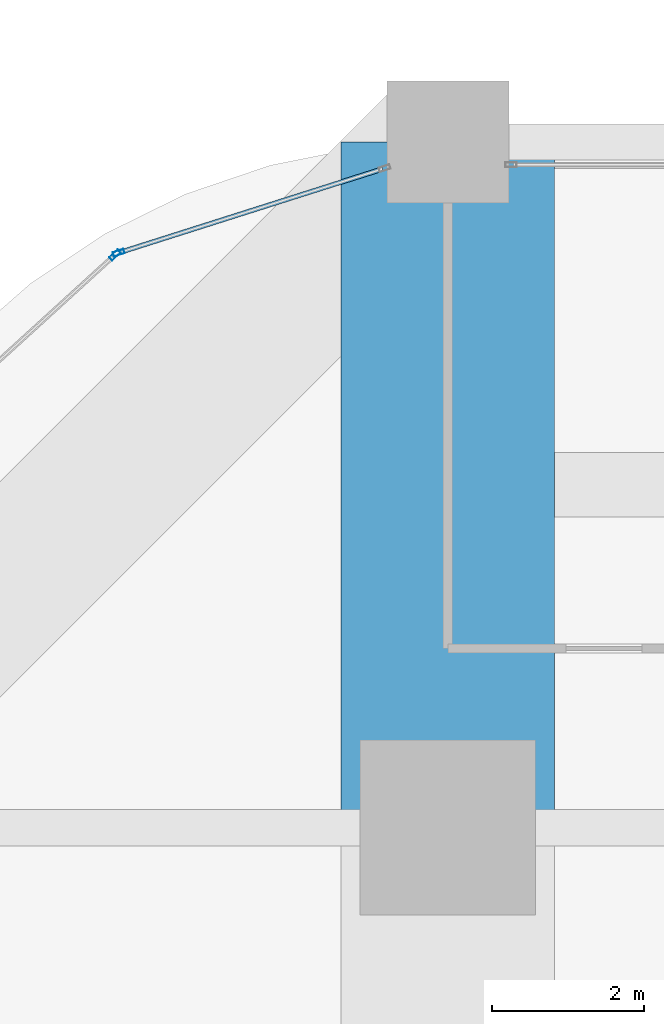
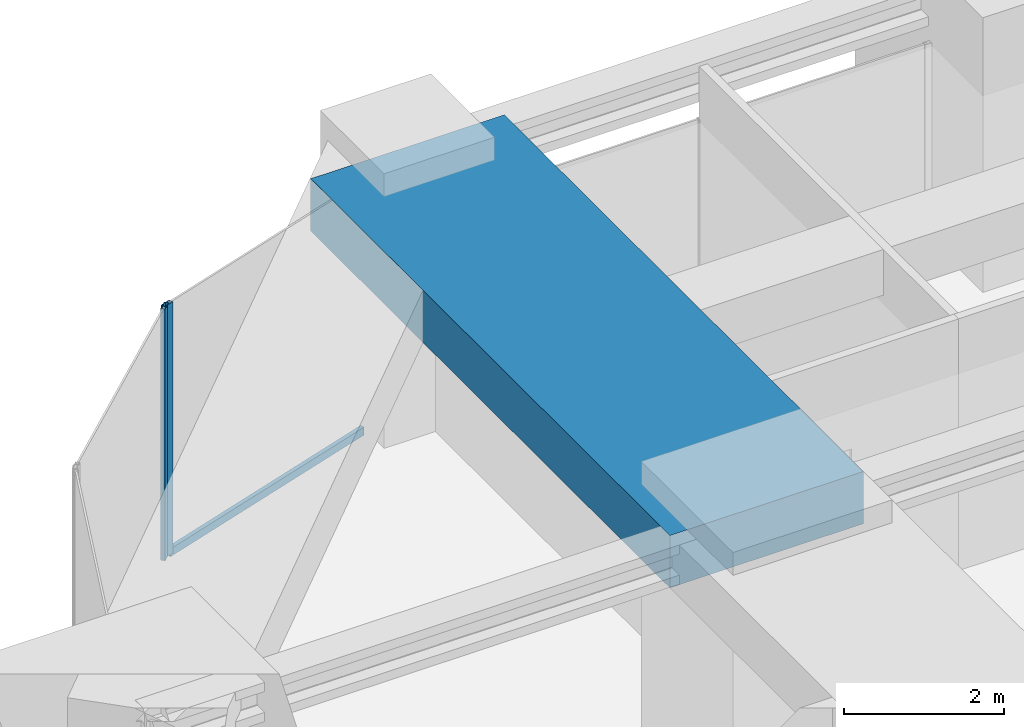
# One storey, part 27 of 39: 3 members, 1 beam, 2 elements without a shape of their own.
"""IFC4 building model written with IfcOpenShell, lengths in metres."""

from ifc_helpers import new_model, si_unit, direction, frame, origin, origin_2d, place, context, subcontext, project, spatial, rectangle, hollow_rectangle, extrude, material, material_profile, profile_set, type_object, element, aggregate, save


model = new_model("IFC4")

# Units and contexts
model_context = context("Model", 3, precision=1e-05, world=origin(), true_north=direction((0.0, 1.0)))
body_context = subcontext(model_context, "Body", "Model", "MODEL_VIEW")
ifc_project = project(units=[si_unit("LENGTHUNIT", "METRE"), si_unit("AREAUNIT", "SQUARE_METRE"), si_unit("VOLUMEUNIT", "CUBIC_METRE"), si_unit("PLANEANGLEUNIT", "RADIAN"), si_unit("MASSUNIT", "GRAM", prefix="KILO")], contexts=[model_context])

# Site, building, storey
site_placement = place(None, origin())
site = spatial("IfcSite", under=ifc_project, at=site_placement, CompositionType="ELEMENT")
building_placement = place(site_placement, origin())
building = spatial("IfcBuilding", under=site, at=building_placement, Name="Zorevar Civic Tower", CompositionType="ELEMENT")
storey_placement = place(building_placement, frame((0.0, 0.0, 230.199951171875)))
storey = spatial("IfcBuildingStorey", under=building, at=storey_placement, Name="L56", CompositionType="ELEMENT", Elevation=230.199951171875)

# Beam
ifc_material_1 = material(Name="Concrete C50/60", Category="concrete")
ifc_material_profile_1 = material_profile(ifc_material_1, rectangle(XDim=2.800048828125, YDim=0.800048828125, at=origin_2d()), Name="RC 2800x800")
ifc_profile_set_1 = profile_set([ifc_material_profile_1], Name="Concrete C50/60")
beam_type = type_object("IfcBeamType", Name="Beam RC 2800x800", PredefinedType="BEAM", material=ifc_profile_set_1)
beam_placement = place(storey_placement, frame((9.0, 36.0, 3.449951171875), z_axis=(0.0, 1.0, 0.0), x_axis=(-1.0, 0.0, 0.0)))
element("IfcBeam", 1, at=beam_placement, inside=storey, type_object=beam_type, Name="Girder L57", PredefinedType="BEAM", context=body_context, shape_type="SweptSolid", body=[
    extrude(rectangle(XDim=2.800048828125, YDim=0.800048828125, at=origin_2d()), origin(), (0.0, 0.0, 1.0), 9.0),
])

# Curtain wall, member
ifc_material_2 = material(Name="Dark grey solar-control glass in black aluminium frame", Category="aluminium")
curtain_wall_type = type_object("IfcCurtainWallType", Name="Curtain wall CW4 high zone", PredefinedType="NOTDEFINED", material=ifc_material_2)
curtain_wall_1_placement = place(storey_placement, origin())
curtain_wall_1 = element("IfcCurtainWall", 2, at=curtain_wall_1_placement, inside=storey, type_object=curtain_wall_type, Name="CW4 L56", PredefinedType="NOTDEFINED")
ifc_material_3 = material(Name="Aluminium, black anodised", Category="aluminium")
ifc_material_profile_2 = material_profile(ifc_material_3, hollow_rectangle(XDim=0.06005859375, YDim=0.14990234375, WallThickness=0.00390625, at=origin_2d()), Name="AL 150x60x4")
ifc_profile_set_2 = profile_set([ifc_material_profile_2], Name="Aluminium, black anodised")
member_type_1 = type_object("IfcMemberType", Name="CW4 mullion AL 150x60x4", PredefinedType="MULLION", material=ifc_profile_set_2)
member_1_placement = place(storey_placement, frame((4.6806640625, 43.544677734375, 0.0), z_axis=(0.0, 0.0, 1.0), x_axis=(0.302858738154, -0.953035458272, 0.0)))
member_1 = element("IfcMember", 3, at=member_1_placement, type_object=member_type_1, Name="CW4 mullion 2", PredefinedType="MULLION", context=body_context, shape_type="SweptSolid", body=[
    extrude(hollow_rectangle(XDim=0.06005859375, YDim=0.14990234375, WallThickness=0.00390625, at=origin_2d()), origin(), (0.0, 0.0, 1.0), 3.85009765625),
])

curtain_wall_2_placement = place(storey_placement, origin())
curtain_wall_2 = element("IfcCurtainWall", 4, at=curtain_wall_2_placement, inside=storey, type_object=curtain_wall_type, Name="CW4 L56", PredefinedType="NOTDEFINED")
member_2_placement = place(storey_placement, frame((4.6298828125, 43.515380859375, 0.0), z_axis=(0.0, 0.0, 1.0), x_axis=(0.673532686252, -0.739157439623, 0.0)))
member_2 = element("IfcMember", 5, at=member_2_placement, type_object=member_type_1, Name="CW4 mullion 1", PredefinedType="MULLION", context=body_context, shape_type="SweptSolid", body=[
    extrude(hollow_rectangle(XDim=0.06005859375, YDim=0.14990234375, WallThickness=0.00390625, at=origin_2d()), origin(), (0.0, 0.0, 1.0), 3.85009765625),
])
aggregate(curtain_wall_2, [member_2])

# Member
ifc_material_4 = material(Name="Aluminium, black anodised", Category="aluminium")
ifc_material_profile_3 = material_profile(ifc_material_4, hollow_rectangle(XDim=0.06005859375, YDim=0.1201171875, WallThickness=0.0029296875, at=origin_2d()), Name="AL 120x60x3")
ifc_profile_set_3 = profile_set([ifc_material_profile_3], Name="Aluminium, black anodised")
member_type_2 = type_object("IfcMemberType", Name="CW4 transom AL 120x60x3", PredefinedType="USERDEFINED", material=ifc_profile_set_3)
member_3_placement = place(storey_placement, frame((8.142822265625, 44.644775390625, 0.030029296875), z_axis=(-0.953041406307, -0.302840020249, 0.0), x_axis=(0.302840020249, -0.953041406307, 0.0)))
member_3 = element("IfcMember", 6, at=member_3_placement, type_object=member_type_2, Name="CW4 sill transom", ObjectType="TRANSOM", PredefinedType="USERDEFINED", context=body_context, shape_type="SweptSolid", body=[
    extrude(hollow_rectangle(XDim=0.06005859375, YDim=0.1201171875, WallThickness=0.0029296875, at=origin_2d()), origin(), (0.0, 0.0, 1.0), 3.602783203125),
])

aggregate(curtain_wall_1, [member_1, member_3])

save(model, "model.ifc")
